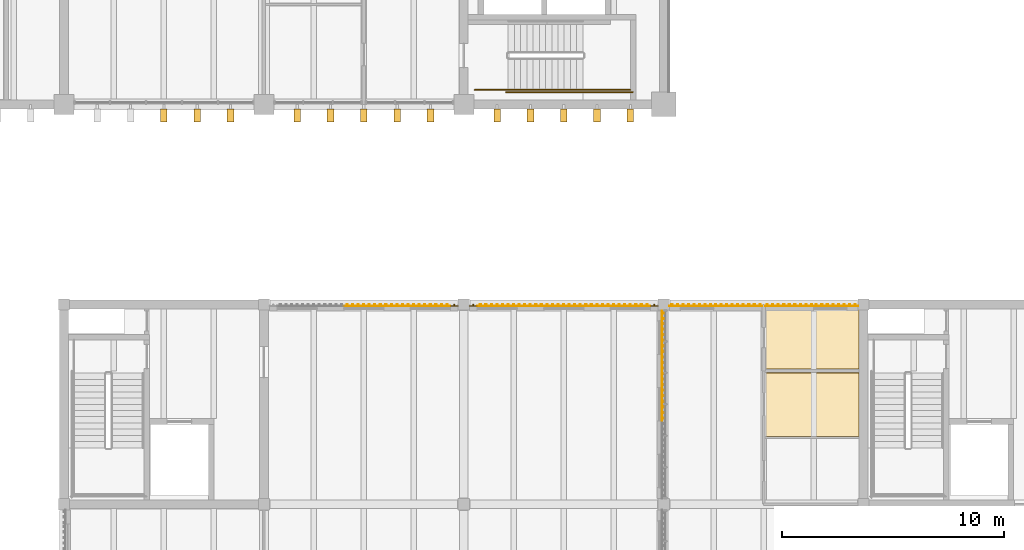
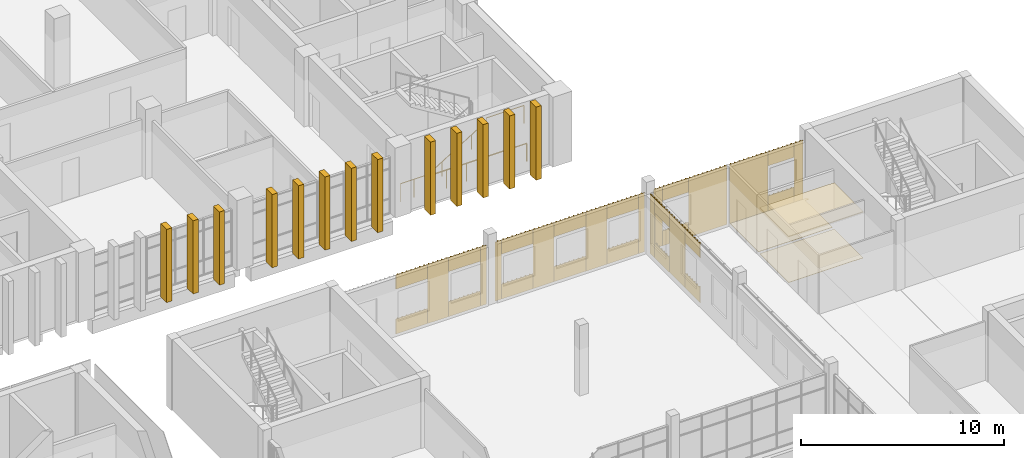
# One storey, part 88 of 92: 33 coverings, 13 shading devices, 4 railings.
"""IFC4 building model written with IfcOpenShell, lengths in metres."""

from ifc_helpers import new_model, si_unit, direction, frame, origin, origin_2d, place, context, subcontext, project, spatial, polyline, circle, outline, extrude, source, transform, mapped, material, layer, layer_set, type_object, element, save


model = new_model("IFC4")

# Units and contexts
model_context = context("Model", 3, precision=1e-05, world=origin(), true_north=direction((0.0, 1.0)))
body_context = subcontext(model_context, "Body", "Model", "MODEL_VIEW")
ifc_project = project(units=[si_unit("LENGTHUNIT", "METRE"), si_unit("AREAUNIT", "SQUARE_METRE"), si_unit("VOLUMEUNIT", "CUBIC_METRE"), si_unit("PLANEANGLEUNIT", "RADIAN"), si_unit("MASSUNIT", "GRAM", prefix="KILO")], contexts=[model_context])

# Site, building, storey
site_placement = place(None, origin())
site = spatial("IfcSite", under=ifc_project, at=site_placement, CompositionType="ELEMENT")
building_placement = place(site_placement, origin())
building = spatial("IfcBuilding", under=site, at=building_placement, Name="Merrow Basin Faculty of Sciences", CompositionType="ELEMENT")
storey_placement = place(building_placement, frame((0.0, 0.0, 4.5)))
storey = spatial("IfcBuildingStorey", under=building, at=storey_placement, Name="L01", CompositionType="ELEMENT", Elevation=4.5)

# Coverings
ifc_material_1 = material(Name="Ceramic floor tile")
ifc_layer_1 = layer(ifc_material_1, 0.02001953125)
ifc_layer_set_1 = layer_set([ifc_layer_1], Name="Ceramic floor tile")
covering_type_1 = type_object("IfcCoveringType", Name="Ceramic floor tile", PredefinedType="FLOORING", material=ifc_layer_set_1)
covering_1_placement = place(storey_placement, origin())
element("IfcCovering", 1, at=covering_1_placement, inside=storey, type_object=covering_type_1, Name="Floor finish L01-C-032", PredefinedType="FLOORING", context=body_context, shape_type="SweptSolid", body=[
    extrude(outline(polyline([(62.7900390625, 127.06005859375), (58.56005859375, 127.06005859375), (58.56005859375, 129.9150390625), (62.7900390625, 129.9150390625), (62.7900390625, 127.06005859375)])), origin(), (0.0, 0.0, 1.0), 0.02001953125),
])
ifc_material_2 = material(Name="Sealed concrete floor", Category="concrete")
ifc_layer_2 = layer(ifc_material_2, 0.02001953125)
ifc_layer_set_2 = layer_set([ifc_layer_2], Name="Sealed concrete floor")
covering_type_2 = type_object("IfcCoveringType", Name="Sealed concrete floor", PredefinedType="FLOORING", material=ifc_layer_set_2)
covering_2_placement = place(storey_placement, origin())
element("IfcCovering", 2, at=covering_2_placement, inside=storey, type_object=covering_type_2, Name="Floor finish L01-C-033", PredefinedType="FLOORING", context=body_context, shape_type="SweptSolid", body=[
    extrude(outline(polyline([(62.989990234375, 132.889892578125), (62.989990234375, 132.760009765625), (62.7900390625, 132.760009765625), (62.7900390625, 130.0849609375), (58.5849609375, 130.0849609375), (58.5849609375, 132.889892578125), (62.989990234375, 132.889892578125)])), origin(), (0.0, 0.0, 1.0), 0.02001953125),
])

# Railings
ifc_material_3 = material(Name="Steel ASTM A36", Category="steel")
railing_type_1 = type_object("IfcRailingType", Name="Steel guard 1100", PredefinedType="GUARDRAIL", material=ifc_material_3)
railing_1_placement = place(storey_placement, frame((50.360107421875, 142.64990234375, 2.25)))
element("IfcRailing", 3, at=railing_1_placement, inside=storey, type_object=railing_type_1, Name="L01 ST-V5-N stair guard 3", PredefinedType="GUARDRAIL", context=body_context, shape_type="SweptSolid", body=[
    extrude(circle(Radius=0.02392578125, at=origin_2d()), frame((0.0, 0.0, 1.076171875), z_axis=(1.0, 0.0, 0.0), x_axis=(0.0, 1.0, 0.0)), (0.0, 0.0, 1.0), 2.139892578125),
    extrude(circle(Radius=0.02099609375, at=origin_2d()), origin(), (0.0, 0.0, 1.0), 1.052001953125),
    extrude(circle(Radius=0.02099609375, at=origin_2d()), frame((1.06982421875, 0.0, 0.0)), (0.0, 0.0, 1.0), 1.052001953125),
    extrude(circle(Radius=0.02099609375, at=origin_2d()), frame((2.139892578125, 0.0, 0.0)), (0.0, 0.0, 1.0), 1.052001953125),
])
railing_2_placement = place(storey_placement, frame((45.5, 142.64990234375, 0.0)))
element("IfcRailing", 4, at=railing_2_placement, inside=storey, type_object=railing_type_1, Name="L01 ST-V5-N stair guard 6", PredefinedType="GUARDRAIL", context=body_context, shape_type="SweptSolid", body=[
    extrude(circle(Radius=0.02392578125, at=origin_2d()), frame((0.0, 0.0, 1.076171875), z_axis=(1.0, 0.0, 0.0), x_axis=(0.0, 1.0, 0.0)), (0.0, 0.0, 1.0), 1.5),
    extrude(circle(Radius=0.02099609375, at=origin_2d()), origin(), (0.0, 0.0, 1.0), 1.052001953125),
    extrude(circle(Radius=0.02099609375, at=origin_2d()), frame((0.75, 0.0, 0.0)), (0.0, 0.0, 1.0), 1.052001953125),
    extrude(circle(Radius=0.02099609375, at=origin_2d()), frame((1.5, 0.0, 0.0)), (0.0, 0.0, 1.0), 1.052001953125),
])
railing_3_placement = place(storey_placement, frame((46.89990234375, 142.550048828125, 0.0)))
element("IfcRailing", 5, at=railing_3_placement, inside=storey, type_object=railing_type_1, Name="L01 ST-V5-N stair guard 7", PredefinedType="GUARDRAIL", context=body_context, shape_type="SweptSolid", body=[
    extrude(circle(Radius=0.02392578125, at=origin_2d()), frame((0.0, 0.0, 1.076171875), z_axis=(1.0, 0.0, 0.0), x_axis=(0.0, 1.0, 0.0)), (0.0, 0.0, 1.0), 5.7001953125),
    extrude(circle(Radius=0.02099609375, at=origin_2d()), origin(), (0.0, 0.0, 1.0), 1.052001953125),
    extrude(circle(Radius=0.02099609375, at=origin_2d()), frame((1.14013671875, 0.0, 0.0)), (0.0, 0.0, 1.0), 1.052001953125),
    extrude(circle(Radius=0.02099609375, at=origin_2d()), frame((2.280029296875, 0.0, 0.0)), (0.0, 0.0, 1.0), 1.052001953125),
    extrude(circle(Radius=0.02099609375, at=origin_2d()), frame((3.420166015625, 0.0, 0.0)), (0.0, 0.0, 1.0), 1.052001953125),
    extrude(circle(Radius=0.02099609375, at=origin_2d()), frame((4.56005859375, 0.0, 0.0)), (0.0, 0.0, 1.0), 1.052001953125),
    extrude(circle(Radius=0.02099609375, at=origin_2d()), frame((5.7001953125, 0.0, 0.0)), (0.0, 0.0, 1.0), 1.052001953125),
])
ifc_material_4 = material(Name="Steel ASTM A36", Category="steel")
railing_type_2 = type_object("IfcRailingType", Name="Steel handrail 900", PredefinedType="HANDRAIL", material=ifc_material_4)
railing_4_placement = place(storey_placement, frame((47.0, 142.64990234375, 0.173095703125)))
element("IfcRailing", 6, at=railing_4_placement, inside=storey, type_object=railing_type_2, Name="L01 ST-V5-N stair handrail 1", PredefinedType="HANDRAIL", context=body_context, shape_type="SweptSolid", body=[
    extrude(circle(Radius=0.02392578125, at=origin_2d()), frame((0.0, 0.0, 0.8759765625), z_axis=(0.850623216509, 0.0, 0.525775754039), x_axis=(0.0, 1.0, 0.0)), (0.0, 0.0, 1.0), 3.9501953125),
    extrude(circle(Radius=0.02099609375, at=origin_2d()), origin(), (0.0, 0.0, 1.0), 0.851806640625),
    extrude(circle(Radius=0.02099609375, at=origin_2d()), frame((0.840087890625, 0.0, 0.519287109375)), (0.0, 0.0, 1.0), 0.851806640625),
    extrude(circle(Radius=0.02099609375, at=origin_2d()), frame((1.68017578125, 0.0, 1.03857421875)), (0.0, 0.0, 1.0), 0.851806640625),
    extrude(circle(Radius=0.02099609375, at=origin_2d()), frame((2.52001953125, 0.0, 1.5576171875)), (0.0, 0.0, 1.0), 0.851806640625),
    extrude(circle(Radius=0.02099609375, at=origin_2d()), frame((3.360107421875, 0.0, 2.076904296875)), (0.0, 0.0, 1.0), 0.851806640625),
])

# Coverings
ifc_material_5 = material(Name="Mineral fibre ceiling tile")
ifc_layer_3 = layer(ifc_material_5, 0.050048828125)
ifc_layer_set_3 = layer_set([ifc_layer_3], Name="Suspended acoustic ceiling tile")
covering_type_3 = type_object("IfcCoveringType", Name="Suspended acoustic ceiling tile", PredefinedType="CEILING", material=ifc_layer_set_3)
covering_3_placement = place(storey_placement, frame((0.0, 0.0, 2.75)))
element("IfcCovering", 7, at=covering_3_placement, inside=storey, type_object=covering_type_3, Name="Ceiling L01-C-032", PredefinedType="CEILING", context=body_context, shape_type="SweptSolid", body=[
    extrude(outline(polyline([(62.800048828125, 127.050048828125), (58.550048828125, 127.050048828125), (58.550048828125, 129.925048828125), (62.800048828125, 129.925048828125), (62.800048828125, 127.050048828125)])), origin(), (0.0, 0.0, 1.0), 0.050048828125),
])
ifc_material_6 = material(Name="Larch timber", Category="wood")
ifc_layer_4 = layer(ifc_material_6, 0.0849609375)
ifc_layer_set_4 = layer_set([ifc_layer_4], Name="Larch batten cladding 85")
covering_type_4 = type_object("IfcCoveringType", Name="Larch batten cladding 85", PredefinedType="CLADDING", material=ifc_layer_set_4)
shared_shape_1 = source(origin(), body_context, "Body", "SweptSolid", [
    extrude(outline(polyline([(0.0, 0.0), (2.175048828125, 0.0), (2.175048828125, 0.02490234375), (2.112060546875, 0.02490234375), (2.112060546875, 0.0849609375), (2.06201171875, 0.0849609375), (2.06201171875, 0.02490234375), (1.862060546875, 0.02490234375), (1.862060546875, 0.0849609375), (1.81201171875, 0.0849609375), (1.81201171875, 0.02490234375), (1.612060546875, 0.02490234375), (1.612060546875, 0.0849609375), (1.56201171875, 0.0849609375), (1.56201171875, 0.02490234375), (1.362060546875, 0.02490234375), (1.362060546875, 0.0849609375), (1.31201171875, 0.0849609375), (1.31201171875, 0.02490234375), (1.112060546875, 0.02490234375), (1.112060546875, 0.0849609375), (1.06201171875, 0.0849609375), (1.06201171875, 0.02490234375), (0.862060546875, 0.02490234375), (0.862060546875, 0.0849609375), (0.81201171875, 0.0849609375), (0.81201171875, 0.02490234375), (0.612060546875, 0.02490234375), (0.612060546875, 0.0849609375), (0.56201171875, 0.0849609375), (0.56201171875, 0.02490234375), (0.362060546875, 0.02490234375), (0.362060546875, 0.0849609375), (0.31201171875, 0.0849609375), (0.31201171875, 0.02490234375), (0.112060546875, 0.02490234375), (0.112060546875, 0.0849609375), (0.06201171875, 0.0849609375), (0.06201171875, 0.02490234375), (0.0, 0.02490234375), (0.0, 0.0)])), origin(), (0.0, 0.0, 1.0), 3.550048828125),
])
for number, where, z_axis, x_axis, name in (
    (8, (56.25, 132.9150390625, 0.0), (0.0, 0.0, 1.0), (1.0, 0.0, 0.0), "Larch batten cladding"),
    (9, (58.574951171875, 132.9150390625, 0.0), (0.0, 0.0, 1.0), (1.0, 0.0, 0.0), "Larch batten cladding"),
):
    element("IfcCovering", number, at=place(storey_placement, frame(where, z_axis=z_axis, x_axis=x_axis)), inside=storey, type_object=covering_type_4, Name=name, PredefinedType="CLADDING", context=body_context, shape_type="MappedRepresentation", body=[
        mapped(shared_shape_1, transform((0.0, 0.0, 0.0), scale=1.0)),
    ])
shared_shape_2 = source(origin(), body_context, "Body", "SweptSolid", [
    extrude(outline(polyline([(0.0, 0.0), (0.5, 0.0), (0.5, 0.02490234375), (0.39990234375, 0.02490234375), (0.39990234375, 0.0849609375), (0.35009765625, 0.0849609375), (0.35009765625, 0.02490234375), (0.14990234375, 0.02490234375), (0.14990234375, 0.0849609375), (0.10009765625, 0.0849609375), (0.10009765625, 0.02490234375), (0.0, 0.02490234375), (0.0, 0.0)])), origin(), (0.0, 0.0, 1.0), 3.550048828125),
])
for number, where, z_axis, x_axis, name in (
    (10, (54.25, 132.9150390625, 0.0), (0.0, 0.0, 1.0), (1.0, 0.0, 0.0), "Larch batten cladding"),
    (11, (62.25, 132.9150390625, 0.0), (0.0, 0.0, 1.0), (1.0, 0.0, 0.0), "Larch batten cladding"),
):
    element("IfcCovering", number, at=place(storey_placement, frame(where, z_axis=z_axis, x_axis=x_axis)), inside=storey, type_object=covering_type_4, Name=name, PredefinedType="CLADDING", context=body_context, shape_type="MappedRepresentation", body=[
        mapped(shared_shape_2, transform((0.0, 0.0, 0.0), scale=1.0)),
    ])
shared_shape_3 = source(origin(), body_context, "Body", "SweptSolid", [
    extrude(outline(polyline([(0.0, 0.0), (1.5, 0.0), (1.5, 0.02490234375), (1.39990234375, 0.02490234375), (1.39990234375, 0.0849609375), (1.35009765625, 0.0849609375), (1.35009765625, 0.02490234375), (1.14990234375, 0.02490234375), (1.14990234375, 0.0849609375), (1.10009765625, 0.0849609375), (1.10009765625, 0.02490234375), (0.89990234375, 0.02490234375), (0.89990234375, 0.0849609375), (0.85009765625, 0.0849609375), (0.85009765625, 0.02490234375), (0.64990234375, 0.02490234375), (0.64990234375, 0.0849609375), (0.60009765625, 0.0849609375), (0.60009765625, 0.02490234375), (0.39990234375, 0.02490234375), (0.39990234375, 0.0849609375), (0.35009765625, 0.0849609375), (0.35009765625, 0.02490234375), (0.14990234375, 0.02490234375), (0.14990234375, 0.0849609375), (0.10009765625, 0.0849609375), (0.10009765625, 0.02490234375), (0.0, 0.02490234375), (0.0, 0.0)])), origin(), (0.0, 0.0, 1.0), 0.89990234375),
])
for number, where, z_axis, x_axis, name in (
    (12, (54.75, 132.9150390625, 0.0), (0.0, 0.0, 1.0), (1.0, 0.0, 0.0), "Larch batten cladding"),
    (13, (60.75, 132.9150390625, 0.0), (0.0, 0.0, 1.0), (1.0, 0.0, 0.0), "Larch batten cladding"),
    (14, (53.9150390625, 132.25, 0.0), (0.0, 0.0, 1.0), (0.0, -1.0, 0.0), "Larch batten cladding"),
    (15, (53.9150390625, 129.25, 0.0), (0.0, 0.0, 1.0), (0.0, -1.0, 0.0), "Larch batten cladding"),
):
    element("IfcCovering", number, at=place(storey_placement, frame(where, z_axis=z_axis, x_axis=x_axis)), inside=storey, type_object=covering_type_4, Name=name, PredefinedType="CLADDING", context=body_context, shape_type="MappedRepresentation", body=[
        mapped(shared_shape_3, transform((0.0, 0.0, 0.0), scale=1.0)),
    ])
shared_shape_4 = source(origin(), body_context, "Body", "SweptSolid", [
    extrude(outline(polyline([(0.0, 0.0), (1.5, 0.0), (1.5, 0.02490234375), (1.39990234375, 0.02490234375), (1.39990234375, 0.0849609375), (1.35009765625, 0.0849609375), (1.35009765625, 0.02490234375), (1.14990234375, 0.02490234375), (1.14990234375, 0.0849609375), (1.10009765625, 0.0849609375), (1.10009765625, 0.02490234375), (0.89990234375, 0.02490234375), (0.89990234375, 0.0849609375), (0.85009765625, 0.0849609375), (0.85009765625, 0.02490234375), (0.64990234375, 0.02490234375), (0.64990234375, 0.0849609375), (0.60009765625, 0.0849609375), (0.60009765625, 0.02490234375), (0.39990234375, 0.02490234375), (0.39990234375, 0.0849609375), (0.35009765625, 0.0849609375), (0.35009765625, 0.02490234375), (0.14990234375, 0.02490234375), (0.14990234375, 0.0849609375), (0.10009765625, 0.0849609375), (0.10009765625, 0.02490234375), (0.0, 0.02490234375), (0.0, 0.0)])), origin(), (0.0, 0.0, 1.0), 0.85009765625),
])
for number, where, z_axis, x_axis, name in (
    (16, (54.75, 132.9150390625, 2.699951171875), (0.0, 0.0, 1.0), (1.0, 0.0, 0.0), "Larch batten cladding"),
    (17, (60.75, 132.9150390625, 2.699951171875), (0.0, 0.0, 1.0), (1.0, 0.0, 0.0), "Larch batten cladding"),
    (18, (53.9150390625, 132.25, 2.699951171875), (0.0, 0.0, 1.0), (0.0, -1.0, 0.0), "Larch batten cladding"),
    (19, (53.9150390625, 129.25, 2.699951171875), (0.0, 0.0, 1.0), (0.0, -1.0, 0.0), "Larch batten cladding"),
):
    element("IfcCovering", number, at=place(storey_placement, frame(where, z_axis=z_axis, x_axis=x_axis)), inside=storey, type_object=covering_type_4, Name=name, PredefinedType="CLADDING", context=body_context, shape_type="MappedRepresentation", body=[
        mapped(shared_shape_4, transform((0.0, 0.0, 0.0), scale=1.0)),
    ])
shared_shape_5 = source(origin(), body_context, "Body", "SweptSolid", [
    extrude(outline(polyline([(0.0, 0.0), (1.199951171875, 0.0), (1.199951171875, 0.02490234375), (1.125, 0.02490234375), (1.125, 0.0849609375), (1.074951171875, 0.0849609375), (1.074951171875, 0.02490234375), (0.875, 0.02490234375), (0.875, 0.0849609375), (0.824951171875, 0.0849609375), (0.824951171875, 0.02490234375), (0.625, 0.02490234375), (0.625, 0.0849609375), (0.574951171875, 0.0849609375), (0.574951171875, 0.02490234375), (0.375, 0.02490234375), (0.375, 0.0849609375), (0.324951171875, 0.0849609375), (0.324951171875, 0.02490234375), (0.125, 0.02490234375), (0.125, 0.0849609375), (0.074951171875, 0.0849609375), (0.074951171875, 0.02490234375), (0.0, 0.02490234375), (0.0, 0.0)])), origin(), (0.0, 0.0, 1.0), 3.550048828125),
])
for number, where, z_axis, x_axis, name in (
    (20, (41.39990234375, 132.9150390625, 0.0), (0.0, 0.0, 1.0), (1.0, 0.0, 0.0), "Larch batten cladding"),
    (21, (47.39990234375, 132.9150390625, 0.0), (0.0, 0.0, 1.0), (1.0, 0.0, 0.0), "Larch batten cladding"),
    (22, (50.39990234375, 132.9150390625, 0.0), (0.0, 0.0, 1.0), (1.0, 0.0, 0.0), "Larch batten cladding"),
):
    element("IfcCovering", number, at=place(storey_placement, frame(where, z_axis=z_axis, x_axis=x_axis)), inside=storey, type_object=covering_type_4, Name=name, PredefinedType="CLADDING", context=body_context, shape_type="MappedRepresentation", body=[
        mapped(shared_shape_5, transform((0.0, 0.0, 0.0), scale=1.0)),
    ])
shared_shape_6 = source(origin(), body_context, "Body", "SweptSolid", [
    extrude(outline(polyline([(0.0, 0.0), (0.35009765625, 0.0), (0.35009765625, 0.02490234375), (0.199951171875, 0.02490234375), (0.199951171875, 0.0849609375), (0.14990234375, 0.0849609375), (0.14990234375, 0.02490234375), (0.0, 0.02490234375), (0.0, 0.0)])), origin(), (0.0, 0.0, 1.0), 3.550048828125),
])
for number, where, z_axis, x_axis, name in (
    (23, (44.39990234375, 132.9150390625, 0.0), (0.0, 0.0, 1.0), (1.0, 0.0, 0.0), "Larch batten cladding"),
    (24, (45.25, 132.9150390625, 0.0), (0.0, 0.0, 1.0), (1.0, 0.0, 0.0), "Larch batten cladding"),
    (25, (53.39990234375, 132.9150390625, 0.0), (0.0, 0.0, 1.0), (1.0, 0.0, 0.0), "Larch batten cladding"),
):
    element("IfcCovering", number, at=place(storey_placement, frame(where, z_axis=z_axis, x_axis=x_axis)), inside=storey, type_object=covering_type_4, Name=name, PredefinedType="CLADDING", context=body_context, shape_type="MappedRepresentation", body=[
        mapped(shared_shape_6, transform((0.0, 0.0, 0.0), scale=1.0)),
    ])
shared_shape_7 = source(origin(), body_context, "Body", "SweptSolid", [
    extrude(outline(polyline([(0.0, 0.0), (1.800048828125, 0.0), (1.800048828125, 0.02490234375), (1.675048828125, 0.02490234375), (1.675048828125, 0.0849609375), (1.625, 0.0849609375), (1.625, 0.02490234375), (1.425048828125, 0.02490234375), (1.425048828125, 0.0849609375), (1.375, 0.0849609375), (1.375, 0.02490234375), (1.175048828125, 0.02490234375), (1.175048828125, 0.0849609375), (1.125, 0.0849609375), (1.125, 0.02490234375), (0.925048828125, 0.02490234375), (0.925048828125, 0.0849609375), (0.875, 0.0849609375), (0.875, 0.02490234375), (0.675048828125, 0.02490234375), (0.675048828125, 0.0849609375), (0.625, 0.0849609375), (0.625, 0.02490234375), (0.425048828125, 0.02490234375), (0.425048828125, 0.0849609375), (0.375, 0.0849609375), (0.375, 0.02490234375), (0.175048828125, 0.02490234375), (0.175048828125, 0.0849609375), (0.125, 0.0849609375), (0.125, 0.02490234375), (0.0, 0.02490234375), (0.0, 0.0)])), origin(), (0.0, 0.0, 1.0), 0.89990234375),
])
for number, where, z_axis, x_axis, name in (
    (26, (39.60009765625, 132.9150390625, 0.0), (0.0, 0.0, 1.0), (1.0, 0.0, 0.0), "Larch batten cladding"),
    (27, (42.60009765625, 132.9150390625, 0.0), (0.0, 0.0, 1.0), (1.0, 0.0, 0.0), "Larch batten cladding"),
    (28, (45.60009765625, 132.9150390625, 0.0), (0.0, 0.0, 1.0), (1.0, 0.0, 0.0), "Larch batten cladding"),
    (29, (48.60009765625, 132.9150390625, 0.0), (0.0, 0.0, 1.0), (1.0, 0.0, 0.0), "Larch batten cladding"),
    (30, (51.60009765625, 132.9150390625, 0.0), (0.0, 0.0, 1.0), (1.0, 0.0, 0.0), "Larch batten cladding"),
):
    element("IfcCovering", number, at=place(storey_placement, frame(where, z_axis=z_axis, x_axis=x_axis)), inside=storey, type_object=covering_type_4, Name=name, PredefinedType="CLADDING", context=body_context, shape_type="MappedRepresentation", body=[
        mapped(shared_shape_7, transform((0.0, 0.0, 0.0), scale=1.0)),
    ])
shared_shape_8 = source(origin(), body_context, "Body", "SweptSolid", [
    extrude(outline(polyline([(0.0, 0.0), (1.800048828125, 0.0), (1.800048828125, 0.02490234375), (1.675048828125, 0.02490234375), (1.675048828125, 0.0849609375), (1.625, 0.0849609375), (1.625, 0.02490234375), (1.425048828125, 0.02490234375), (1.425048828125, 0.0849609375), (1.375, 0.0849609375), (1.375, 0.02490234375), (1.175048828125, 0.02490234375), (1.175048828125, 0.0849609375), (1.125, 0.0849609375), (1.125, 0.02490234375), (0.925048828125, 0.02490234375), (0.925048828125, 0.0849609375), (0.875, 0.0849609375), (0.875, 0.02490234375), (0.675048828125, 0.02490234375), (0.675048828125, 0.0849609375), (0.625, 0.0849609375), (0.625, 0.02490234375), (0.425048828125, 0.02490234375), (0.425048828125, 0.0849609375), (0.375, 0.0849609375), (0.375, 0.02490234375), (0.175048828125, 0.02490234375), (0.175048828125, 0.0849609375), (0.125, 0.0849609375), (0.125, 0.02490234375), (0.0, 0.02490234375), (0.0, 0.0)])), origin(), (0.0, 0.0, 1.0), 0.85009765625),
])
for number, where, z_axis, x_axis, name in (
    (31, (39.60009765625, 132.9150390625, 2.699951171875), (0.0, 0.0, 1.0), (1.0, 0.0, 0.0), "Larch batten cladding"),
    (32, (42.60009765625, 132.9150390625, 2.699951171875), (0.0, 0.0, 1.0), (1.0, 0.0, 0.0), "Larch batten cladding"),
    (33, (45.60009765625, 132.9150390625, 2.699951171875), (0.0, 0.0, 1.0), (1.0, 0.0, 0.0), "Larch batten cladding"),
    (34, (48.60009765625, 132.9150390625, 2.699951171875), (0.0, 0.0, 1.0), (1.0, 0.0, 0.0), "Larch batten cladding"),
    (35, (51.60009765625, 132.9150390625, 2.699951171875), (0.0, 0.0, 1.0), (1.0, 0.0, 0.0), "Larch batten cladding"),
):
    element("IfcCovering", number, at=place(storey_placement, frame(where, z_axis=z_axis, x_axis=x_axis)), inside=storey, type_object=covering_type_4, Name=name, PredefinedType="CLADDING", context=body_context, shape_type="MappedRepresentation", body=[
        mapped(shared_shape_8, transform((0.0, 0.0, 0.0), scale=1.0)),
    ])
shared_shape_9 = source(origin(), body_context, "Body", "SweptSolid", [
    extrude(outline(polyline([(0.0, 0.0), (1.5, 0.0), (1.5, 0.02490234375), (1.39990234375, 0.02490234375), (1.39990234375, 0.0849609375), (1.35009765625, 0.0849609375), (1.35009765625, 0.02490234375), (1.14990234375, 0.02490234375), (1.14990234375, 0.0849609375), (1.10009765625, 0.0849609375), (1.10009765625, 0.02490234375), (0.89990234375, 0.02490234375), (0.89990234375, 0.0849609375), (0.85009765625, 0.0849609375), (0.85009765625, 0.02490234375), (0.64990234375, 0.02490234375), (0.64990234375, 0.0849609375), (0.60009765625, 0.0849609375), (0.60009765625, 0.02490234375), (0.39990234375, 0.02490234375), (0.39990234375, 0.0849609375), (0.35009765625, 0.0849609375), (0.35009765625, 0.02490234375), (0.14990234375, 0.02490234375), (0.14990234375, 0.0849609375), (0.10009765625, 0.0849609375), (0.10009765625, 0.02490234375), (0.0, 0.02490234375), (0.0, 0.0)])), origin(), (0.0, 0.0, 1.0), 3.550048828125),
])
covering_4_placement = place(storey_placement, frame((53.9150390625, 130.75, 0.0), z_axis=(0.0, 0.0, 1.0), x_axis=(0.0, -1.0, 0.0)))
element("IfcCovering", 36, at=covering_4_placement, inside=storey, type_object=covering_type_4, Name="Larch batten cladding", PredefinedType="CLADDING", context=body_context, shape_type="MappedRepresentation", body=[
    mapped(shared_shape_9, transform((0.0, 0.0, 0.0), scale=1.0)),
])
shared_shape_10 = source(origin(), body_context, "Body", "SweptSolid", [
    extrude(outline(polyline([(0.0, 0.0), (0.450927734375, 0.0), (0.450927734375, 0.02490234375), (0.375, 0.02490234375), (0.375, 0.0849609375), (0.324951171875, 0.0849609375), (0.324951171875, 0.02490234375), (0.125, 0.02490234375), (0.125, 0.0849609375), (0.074951171875, 0.0849609375), (0.074951171875, 0.02490234375), (0.0, 0.02490234375), (0.0, 0.0)])), origin(), (0.0, 0.0, 1.0), 3.550048828125),
])
covering_5_placement = place(storey_placement, frame((53.9150390625, 132.700927734375, 0.0), z_axis=(0.0, 0.0, 1.0), x_axis=(0.0, -1.0, 0.0)))
element("IfcCovering", 37, at=covering_5_placement, inside=storey, type_object=covering_type_4, Name="Larch batten cladding", PredefinedType="CLADDING", context=body_context, shape_type="MappedRepresentation", body=[
    mapped(shared_shape_10, transform((0.0, 0.0, 0.0), scale=1.0)),
])

# Shading devices
ifc_material_7 = material(Name="White precast concrete C50/60", Category="concrete")
shading_device_type = type_object("IfcShadingDeviceType", Name="White precast fin 300 x 600", PredefinedType="USERDEFINED", material=ifc_material_7)
shared_shape_11 = source(origin(), body_context, "Body", "SweptSolid", [
    extrude(outline(polyline([(0.0, 0.0), (0.300048828125, 0.0), (0.300048828125, 4.39990234375), (0.0, 4.39990234375), (0.0, 0.0)])), origin(), (0.0, 0.0, 1.0), 0.60009765625),
])
for number, where, z_axis, x_axis, name in (
    (38, (31.35009765625, 141.800048828125, -0.25), (0.0, -1.0, 0.0), (1.0, 0.0, 0.0), "Brise-soleil fin SL01"),
    (39, (32.85009765625, 141.800048828125, -0.25), (0.0, -1.0, 0.0), (1.0, 0.0, 0.0), "Brise-soleil fin SL01"),
    (40, (34.35009765625, 141.800048828125, -0.25), (0.0, -1.0, 0.0), (1.0, 0.0, 0.0), "Brise-soleil fin SL01"),
    (41, (37.35009765625, 141.800048828125, -0.25), (0.0, -1.0, 0.0), (1.0, 0.0, 0.0), "Brise-soleil fin SL01"),
    (42, (38.85009765625, 141.800048828125, -0.25), (0.0, -1.0, 0.0), (1.0, 0.0, 0.0), "Brise-soleil fin SL01"),
    (43, (40.35009765625, 141.800048828125, -0.25), (0.0, -1.0, 0.0), (1.0, 0.0, 0.0), "Brise-soleil fin SL01"),
    (44, (41.85009765625, 141.800048828125, -0.25), (0.0, -1.0, 0.0), (1.0, 0.0, 0.0), "Brise-soleil fin SL01"),
    (45, (43.35009765625, 141.800048828125, -0.25), (0.0, -1.0, 0.0), (1.0, 0.0, 0.0), "Brise-soleil fin SL01"),
    (46, (46.35009765625, 141.800048828125, -0.25), (0.0, -1.0, 0.0), (1.0, 0.0, 0.0), "Brise-soleil fin SL01"),
    (47, (47.85009765625, 141.800048828125, -0.25), (0.0, -1.0, 0.0), (1.0, 0.0, 0.0), "Brise-soleil fin SL01"),
    (48, (49.35009765625, 141.800048828125, -0.25), (0.0, -1.0, 0.0), (1.0, 0.0, 0.0), "Brise-soleil fin SL01"),
    (49, (50.85009765625, 141.800048828125, -0.25), (0.0, -1.0, 0.0), (1.0, 0.0, 0.0), "Brise-soleil fin SL01"),
    (50, (52.35009765625, 141.800048828125, -0.25), (0.0, -1.0, 0.0), (1.0, 0.0, 0.0), "Brise-soleil fin SL01"),
):
    element("IfcShadingDevice", number, at=place(storey_placement, frame(where, z_axis=z_axis, x_axis=x_axis)), inside=storey, type_object=shading_device_type, Name=name, ObjectType="FIN", PredefinedType="USERDEFINED", context=body_context, shape_type="MappedRepresentation", body=[
        mapped(shared_shape_11, transform((0.0, 0.0, 0.0), scale=1.0)),
    ])

save(model, "model.ifc")
